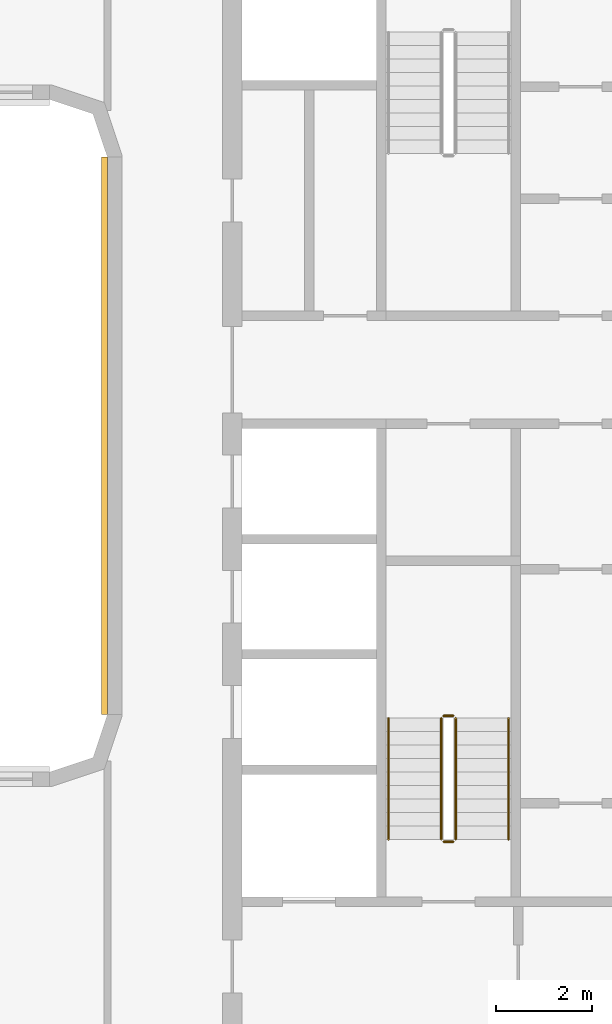
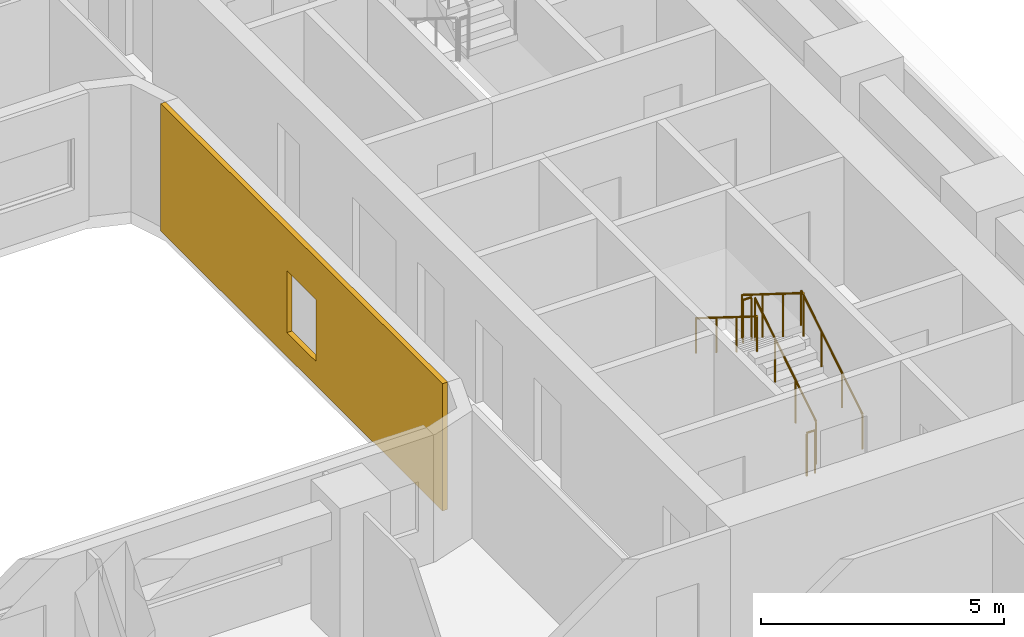
# One storey, part 17 of 22: 6 railings, 1 covering.
"""IFC4 building model written with IfcOpenShell, lengths in metres."""

from ifc_helpers import new_model, si_unit, direction, frame, origin, origin_2d, place, context, subcontext, project, spatial, polyline, circle, outline, extrude, material, layer, layer_set, type_object, element, save


model = new_model("IFC4")

# Units and contexts
model_context = context("Model", 3, precision=1e-05, world=origin(), true_north=direction((0.0, 1.0)))
body_context = subcontext(model_context, "Body", "Model", "MODEL_VIEW")
ifc_project = project(units=[si_unit("LENGTHUNIT", "METRE"), si_unit("AREAUNIT", "SQUARE_METRE"), si_unit("VOLUMEUNIT", "CUBIC_METRE"), si_unit("PLANEANGLEUNIT", "RADIAN"), si_unit("MASSUNIT", "GRAM", prefix="KILO")], contexts=[model_context])

# Site, building, storey
site_placement = place(None, origin())
site = spatial("IfcSite", under=ifc_project, at=site_placement, CompositionType="ELEMENT")
building_placement = place(site_placement, origin())
building = spatial("IfcBuilding", under=site, at=building_placement, Name="Kiln Ring Residences", CompositionType="ELEMENT")
storey_placement = place(building_placement, frame((0.0, 0.0, 44.5)))
storey = spatial("IfcBuildingStorey", under=building, at=storey_placement, Name="L10", CompositionType="ELEMENT", Elevation=44.5)

# Railings
ifc_material_1 = material(Name="Stainless steel", Category="steel")
railing_type_1 = type_object("IfcRailingType", Name="CORE-STAIR-GUARD", PredefinedType="GUARDRAIL", material=ifc_material_1)
railing_1_placement = place(storey_placement, frame((22.25, -8.39990234375, 0.175048828125)))
element("IfcRailing", 1, at=railing_1_placement, inside=storey, type_object=railing_type_1, Name="L10 E-STS stair guard 1", PredefinedType="GUARDRAIL", context=body_context, shape_type="SweptSolid", body=[
    extrude(circle(Radius=0.02392578125, at=origin_2d()), frame((0.0, 0.0, 1.076171875), z_axis=(0.0, 0.848007534815, 0.529984170421), x_axis=(-1.0, 0.0, 0.0)), (0.0, 0.0, 1.0), 2.9716796875),
    extrude(circle(Radius=0.02099609375, at=origin_2d()), origin(), (0.0, 0.0, 1.0), 1.052001953125),
    extrude(circle(Radius=0.02099609375, at=origin_2d()), frame((0.0, 0.840087890625, 0.52490234375)), (0.0, 0.0, 1.0), 1.052001953125),
    extrude(circle(Radius=0.02099609375, at=origin_2d()), frame((0.0, 1.679931640625, 1.050048828125)), (0.0, 0.0, 1.0), 1.052001953125),
    extrude(circle(Radius=0.02099609375, at=origin_2d()), frame((0.0, 2.52001953125, 1.574951171875)), (0.0, 0.0, 1.0), 1.052001953125),
])
railing_2_placement = place(storey_placement, frame((22.199951171875, -5.830078125, 1.75)))
element("IfcRailing", 2, at=railing_2_placement, inside=storey, type_object=railing_type_1, Name="L10 E-STS stair guard 2", PredefinedType="GUARDRAIL", context=body_context, shape_type="SweptSolid", body=[
    extrude(circle(Radius=0.02392578125, at=origin_2d()), frame((0.0, 0.0, 1.076171875), z_axis=(-1.0, 0.0, 0.0), x_axis=(0.0, -1.0, 0.0)), (0.0, 0.0, 1.0), 0.199951171875),
    extrude(circle(Radius=0.02099609375, at=origin_2d()), origin(), (0.0, 0.0, 1.0), 1.052001953125),
    extrude(circle(Radius=0.02099609375, at=origin_2d()), frame((-0.199951171875, 0.0, 0.0)), (0.0, 0.0, 1.0), 1.052001953125),
])
railing_3_placement = place(storey_placement, frame((21.949951171875, -5.8798828125, 1.925048828125)))
element("IfcRailing", 3, at=railing_3_placement, inside=storey, type_object=railing_type_1, Name="L10 E-STS stair guard 3", PredefinedType="GUARDRAIL", context=body_context, shape_type="SweptSolid", body=[
    extrude(circle(Radius=0.02392578125, at=origin_2d()), frame((0.0, 0.0, 1.076171875), z_axis=(0.0, -0.848007534815, 0.529984170421), x_axis=(1.0, 0.0, 0.0)), (0.0, 0.0, 1.0), 2.9716796875),
    extrude(circle(Radius=0.02099609375, at=origin_2d()), origin(), (0.0, 0.0, 1.0), 1.052001953125),
    extrude(circle(Radius=0.02099609375, at=origin_2d()), frame((0.0, -0.840087890625, 0.52490234375)), (0.0, 0.0, 1.0), 1.052001953125),
    extrude(circle(Radius=0.02099609375, at=origin_2d()), frame((0.0, -1.679931640625, 1.050048828125)), (0.0, 0.0, 1.0), 1.052001953125),
    extrude(circle(Radius=0.02099609375, at=origin_2d()), frame((0.0, -2.52001953125, 1.574951171875)), (0.0, 0.0, 1.0), 1.052001953125),
])
railing_4_placement = place(storey_placement, frame((22.199951171875, -8.449951171875, 0.0)))
element("IfcRailing", 4, at=railing_4_placement, inside=storey, type_object=railing_type_1, Name="L10 E-STS stair guard 4", PredefinedType="GUARDRAIL", context=body_context, shape_type="SweptSolid", body=[
    extrude(circle(Radius=0.02392578125, at=origin_2d()), frame((0.0, 0.0, 1.076171875), z_axis=(-1.0, 0.0, 0.0), x_axis=(0.0, -1.0, 0.0)), (0.0, 0.0, 1.0), 0.199951171875),
    extrude(circle(Radius=0.02099609375, at=origin_2d()), origin(), (0.0, 0.0, 1.0), 1.052001953125),
    extrude(circle(Radius=0.02099609375, at=origin_2d()), frame((-0.199951171875, 0.0, 0.0)), (0.0, 0.0, 1.0), 1.052001953125),
])
ifc_material_2 = material(Name="Stainless steel", Category="steel")
railing_type_2 = type_object("IfcRailingType", Name="CORE-STAIR-HANDRAIL", PredefinedType="HANDRAIL", material=ifc_material_2)
railing_5_placement = place(storey_placement, frame((23.35009765625, -8.39990234375, 0.175048828125)))
element("IfcRailing", 5, at=railing_5_placement, inside=storey, type_object=railing_type_2, Name="L10 E-STS stair handrail 1", PredefinedType="HANDRAIL", context=body_context, shape_type="SweptSolid", body=[
    extrude(circle(Radius=0.02392578125, at=origin_2d()), frame((0.0, 0.0, 0.8759765625), z_axis=(0.0, 0.848007534815, 0.529984170421), x_axis=(-1.0, 0.0, 0.0)), (0.0, 0.0, 1.0), 2.9716796875),
    extrude(circle(Radius=0.02099609375, at=origin_2d()), origin(), (0.0, 0.0, 1.0), 0.851806640625),
    extrude(circle(Radius=0.02099609375, at=origin_2d()), frame((0.0, 0.840087890625, 0.52490234375)), (0.0, 0.0, 1.0), 0.851806640625),
    extrude(circle(Radius=0.02099609375, at=origin_2d()), frame((0.0, 1.679931640625, 1.050048828125)), (0.0, 0.0, 1.0), 0.851806640625),
    extrude(circle(Radius=0.02099609375, at=origin_2d()), frame((0.0, 2.52001953125, 1.574951171875)), (0.0, 0.0, 1.0), 0.851806640625),
])
railing_6_placement = place(storey_placement, frame((20.85009765625, -5.8798828125, 1.925048828125)))
element("IfcRailing", 6, at=railing_6_placement, inside=storey, type_object=railing_type_2, Name="L10 E-STS stair handrail 2", PredefinedType="HANDRAIL", context=body_context, shape_type="SweptSolid", body=[
    extrude(circle(Radius=0.02392578125, at=origin_2d()), frame((0.0, 0.0, 0.8759765625), z_axis=(0.0, -0.848007534815, 0.529984170421), x_axis=(1.0, 0.0, 0.0)), (0.0, 0.0, 1.0), 2.9716796875),
    extrude(circle(Radius=0.02099609375, at=origin_2d()), origin(), (0.0, 0.0, 1.0), 0.851806640625),
    extrude(circle(Radius=0.02099609375, at=origin_2d()), frame((0.0, -0.840087890625, 0.52490234375)), (0.0, 0.0, 1.0), 0.851806640625),
    extrude(circle(Radius=0.02099609375, at=origin_2d()), frame((0.0, -1.679931640625, 1.050048828125)), (0.0, 0.0, 1.0), 0.851806640625),
    extrude(circle(Radius=0.02099609375, at=origin_2d()), frame((0.0, -2.52001953125, 1.574951171875)), (0.0, 0.0, 1.0), 0.851806640625),
])

# Covering
ifc_material_3 = material(Name="Brick masonry, dark clay brick", Category="masonry")
ifc_layer = layer(ifc_material_3, 0.1201171875)
ifc_layer_set = layer_set([ifc_layer], Name="RAINSCREEN PANEL 120")
covering_type = type_object("IfcCoveringType", Name="RAINSCREEN PANEL 120", PredefinedType="CLADDING", material=ifc_layer_set)
covering_placement = place(storey_placement, frame((14.93994140625, 5.800048828125, 0.0), z_axis=(0.0, 0.0, 1.0), x_axis=(0.0, -1.0, 0.0)))
element("IfcCovering", 7, at=covering_placement, inside=storey, type_object=covering_type, Name="RAINSCREEN L10", PredefinedType="CLADDING", context=body_context, shape_type="SweptSolid", body=[
    extrude(outline(polyline([(0.0, 0.0), (11.60009765625, 0.0), (11.60009765625, 3.199951171875), (0.0, 3.199951171875), (0.0, 0.0)]), holes=[polyline([(5.199951171875, 2.14990234375), (5.199951171875, 0.60009765625), (6.39990234375, 0.60009765625), (6.39990234375, 2.14990234375), (5.199951171875, 2.14990234375)])]), frame((0.0, 0.06005859375, 0.0), z_axis=(0.0, -1.0, 0.0), x_axis=(1.0, 0.0, 0.0)), (0.0, 0.0, 1.0), 0.1201171875),
])

save(model, "model.ifc")
